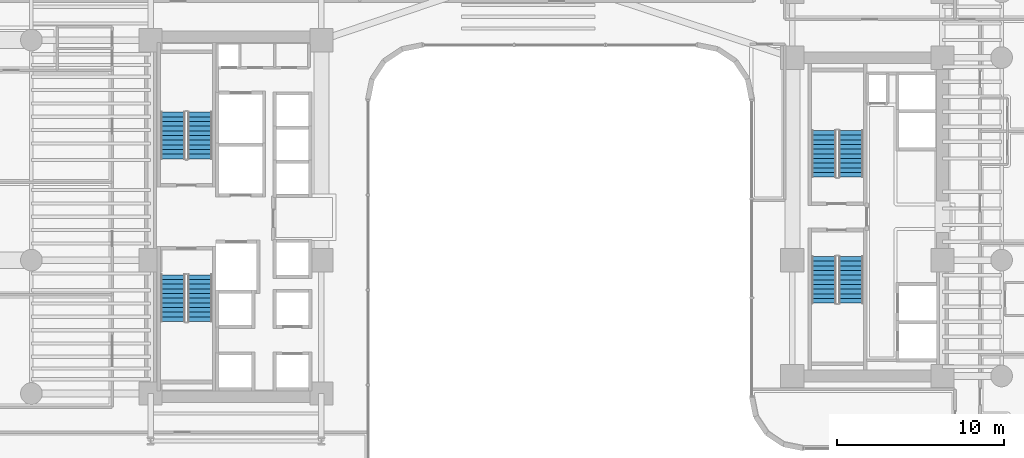
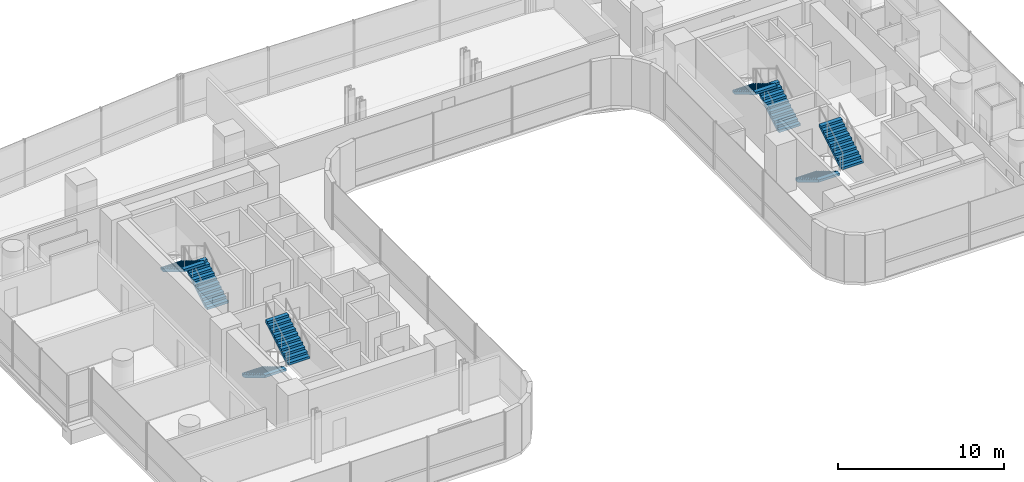
# One storey, part 34 of 39: 8 stair flights, 4 elements without a shape of their own.
"""IFC4 building model written with IfcOpenShell, lengths in metres."""

from ifc_helpers import new_model, si_unit, direction, frame, origin, place, context, subcontext, project, spatial, polyline, outline, extrude, material, type_object, element, aggregate, save


model = new_model("IFC4")

# Units and contexts
model_context = context("Model", 3, precision=1e-05, world=origin(), true_north=direction((0.0, 1.0)))
body_context = subcontext(model_context, "Body", "Model", "MODEL_VIEW")
ifc_project = project(units=[si_unit("LENGTHUNIT", "METRE"), si_unit("AREAUNIT", "SQUARE_METRE"), si_unit("VOLUMEUNIT", "CUBIC_METRE"), si_unit("PLANEANGLEUNIT", "RADIAN"), si_unit("MASSUNIT", "GRAM", prefix="KILO")], contexts=[model_context])

# Site, building, storey
site_placement = place(None, origin())
site = spatial("IfcSite", under=ifc_project, at=site_placement, CompositionType="ELEMENT")
building_placement = place(site_placement, origin())
building = spatial("IfcBuilding", under=site, at=building_placement, Name="Valdorenza Pilgrim Sanctuary Tower", CompositionType="ELEMENT")
storey_placement = place(building_placement, frame((0.0, 0.0, 70.39990234375)))
storey = spatial("IfcBuildingStorey", under=building, at=storey_placement, Name="L17", CompositionType="ELEMENT", Elevation=70.39990234375)

# Stair, stair flights
ifc_material = material(Name="Concrete C40/50", Category="concrete")
stair_type = type_object("IfcStairType", Name="STR-DOG-CORE", PredefinedType="HALF_TURN_STAIR", material=ifc_material)
stair_1_placement = place(storey_placement, origin())
stair_1 = element("IfcStair", 1, at=stair_1_placement, inside=storey, type_object=stair_type, Name="L17 ST-A1", PredefinedType="HALF_TURN_STAIR")
stair_flight_type = type_object("IfcStairFlightType", Name="STF-RC-1400", PredefinedType="STRAIGHT", material=ifc_material)
stair_flight_1_placement = place(storey_placement, frame((-19.679931640625, 3.47998046875, 0.0), z_axis=(0.0, 0.0, 1.0), x_axis=(0.0, 1.0, 0.0)))
stair_flight_1 = element("IfcStairFlight", 2, at=stair_flight_1_placement, type_object=stair_flight_type, Name="ST-A1 flight 1", NumberOfRisers=11, NumberOfTreads=10, PredefinedType="STRAIGHT", RiserHeight=0.168181818, TreadLength=0.28, context=body_context, shape_type="SweptSolid", body=[
    extrude(outline(polyline([(0.0, 0.0), (0.0, 0.168212890625), (0.280029296875, 0.168212890625), (0.280029296875, 0.33642578125), (0.56005859375, 0.33642578125), (0.56005859375, 0.504638671875), (0.840087890625, 0.504638671875), (0.840087890625, 0.672607421875), (1.1201171875, 0.672607421875), (1.1201171875, 0.8408203125), (1.39990234375, 0.8408203125), (1.39990234375, 1.009033203125), (1.679931640625, 1.009033203125), (1.679931640625, 1.17724609375), (1.9599609375, 1.17724609375), (1.9599609375, 1.345458984375), (2.239990234375, 1.345458984375), (2.239990234375, 1.513671875), (2.52001953125, 1.513671875), (2.52001953125, 1.681884765625), (2.800048828125, 1.681884765625), (2.800048828125, 1.85009765625), (2.800048828125, 1.5068359375), (0.291015625, 0.0), (0.0, 0.0)])), frame((0.0, 0.739990234375, 0.0), z_axis=(0.0, -1.0, 0.0), x_axis=(1.0, 0.0, 0.0)), (0.0, 0.0, 1.0), 1.47998046875),
])
stair_flight_2_placement = place(storey_placement, frame((-21.31005859375, 6.280029296875, 1.85009765625), z_axis=(0.0, 0.0, 1.0), x_axis=(0.0, -1.0, 0.0)))
stair_flight_2 = element("IfcStairFlight", 3, at=stair_flight_2_placement, type_object=stair_flight_type, Name="ST-A1 flight 2", NumberOfRisers=11, NumberOfTreads=10, PredefinedType="STRAIGHT", RiserHeight=0.168181818, TreadLength=0.28, context=body_context, shape_type="SweptSolid", body=[
    extrude(outline(polyline([(0.0, 0.0), (0.0, 0.168212890625), (0.280029296875, 0.168212890625), (0.280029296875, 0.33642578125), (0.56005859375, 0.33642578125), (0.56005859375, 0.504638671875), (0.840087890625, 0.504638671875), (0.840087890625, 0.672607421875), (1.1201171875, 0.672607421875), (1.1201171875, 0.8408203125), (1.39990234375, 0.8408203125), (1.39990234375, 1.009033203125), (1.679931640625, 1.009033203125), (1.679931640625, 1.17724609375), (1.9599609375, 1.17724609375), (1.9599609375, 1.345458984375), (2.239990234375, 1.345458984375), (2.239990234375, 1.513671875), (2.52001953125, 1.513671875), (2.52001953125, 1.681884765625), (2.800048828125, 1.681884765625), (2.800048828125, 1.85009765625), (2.800048828125, 1.5068359375), (0.291015625, 0.0), (0.0, 0.0)])), frame((0.0, 0.739990234375, 0.0), z_axis=(0.0, -1.0, 0.0), x_axis=(1.0, 0.0, 0.0)), (0.0, 0.0, 1.0), 1.47998046875),
])
aggregate(stair_1, [stair_flight_1, stair_flight_2])

stair_2_placement = place(storey_placement, origin())
stair_2 = element("IfcStair", 4, at=stair_2_placement, inside=storey, type_object=stair_type, Name="L17 ST-A2", PredefinedType="HALF_TURN_STAIR")
stair_flight_3_placement = place(storey_placement, frame((-21.31005859375, -3.47998046875, 0.0), z_axis=(0.0, 0.0, 1.0), x_axis=(0.0, -1.0, 0.0)))
stair_flight_3 = element("IfcStairFlight", 5, at=stair_flight_3_placement, type_object=stair_flight_type, Name="ST-A2 flight 1", NumberOfRisers=11, NumberOfTreads=10, PredefinedType="STRAIGHT", RiserHeight=0.168181818, TreadLength=0.28, context=body_context, shape_type="SweptSolid", body=[
    extrude(outline(polyline([(0.0, 0.0), (0.0, 0.168212890625), (0.280029296875, 0.168212890625), (0.280029296875, 0.33642578125), (0.56005859375, 0.33642578125), (0.56005859375, 0.504638671875), (0.840087890625, 0.504638671875), (0.840087890625, 0.672607421875), (1.1201171875, 0.672607421875), (1.1201171875, 0.8408203125), (1.39990234375, 0.8408203125), (1.39990234375, 1.009033203125), (1.679931640625, 1.009033203125), (1.679931640625, 1.17724609375), (1.9599609375, 1.17724609375), (1.9599609375, 1.345458984375), (2.239990234375, 1.345458984375), (2.239990234375, 1.513671875), (2.52001953125, 1.513671875), (2.52001953125, 1.681884765625), (2.800048828125, 1.681884765625), (2.800048828125, 1.85009765625), (2.800048828125, 1.5068359375), (0.291015625, 0.0), (0.0, 0.0)])), frame((0.0, 0.739990234375, 0.0), z_axis=(0.0, -1.0, 0.0), x_axis=(1.0, 0.0, 0.0)), (0.0, 0.0, 1.0), 1.47998046875),
])
stair_flight_4_placement = place(storey_placement, frame((-19.679931640625, -6.280029296875, 1.85009765625), z_axis=(0.0, 0.0, 1.0), x_axis=(0.0, 1.0, 0.0)))
stair_flight_4 = element("IfcStairFlight", 6, at=stair_flight_4_placement, type_object=stair_flight_type, Name="ST-A2 flight 2", NumberOfRisers=11, NumberOfTreads=10, PredefinedType="STRAIGHT", RiserHeight=0.168181818, TreadLength=0.28, context=body_context, shape_type="SweptSolid", body=[
    extrude(outline(polyline([(0.0, 0.0), (0.0, 0.168212890625), (0.280029296875, 0.168212890625), (0.280029296875, 0.33642578125), (0.56005859375, 0.33642578125), (0.56005859375, 0.504638671875), (0.840087890625, 0.504638671875), (0.840087890625, 0.672607421875), (1.1201171875, 0.672607421875), (1.1201171875, 0.8408203125), (1.39990234375, 0.8408203125), (1.39990234375, 1.009033203125), (1.679931640625, 1.009033203125), (1.679931640625, 1.17724609375), (1.9599609375, 1.17724609375), (1.9599609375, 1.345458984375), (2.239990234375, 1.345458984375), (2.239990234375, 1.513671875), (2.52001953125, 1.513671875), (2.52001953125, 1.681884765625), (2.800048828125, 1.681884765625), (2.800048828125, 1.85009765625), (2.800048828125, 1.5068359375), (0.291015625, 0.0), (0.0, 0.0)])), frame((0.0, 0.739990234375, 0.0), z_axis=(0.0, -1.0, 0.0), x_axis=(1.0, 0.0, 0.0)), (0.0, 0.0, 1.0), 1.47998046875),
])
aggregate(stair_2, [stair_flight_3, stair_flight_4])

stair_3_placement = place(storey_placement, origin())
stair_3 = element("IfcStair", 7, at=stair_3_placement, inside=storey, type_object=stair_type, Name="L17 ST-B1", PredefinedType="HALF_TURN_STAIR")
stair_flight_5_placement = place(storey_placement, frame((19.3701171875, 2.3798828125, 0.0), z_axis=(0.0, 0.0, 1.0), x_axis=(0.0, 1.0, 0.0)))
stair_flight_5 = element("IfcStairFlight", 8, at=stair_flight_5_placement, type_object=stair_flight_type, Name="ST-B1 flight 1", NumberOfRisers=11, NumberOfTreads=10, PredefinedType="STRAIGHT", RiserHeight=0.168181818, TreadLength=0.28, context=body_context, shape_type="SweptSolid", body=[
    extrude(outline(polyline([(0.0, 0.0), (0.0, 0.168212890625), (0.280029296875, 0.168212890625), (0.280029296875, 0.33642578125), (0.56005859375, 0.33642578125), (0.56005859375, 0.504638671875), (0.840087890625, 0.504638671875), (0.840087890625, 0.672607421875), (1.1201171875, 0.672607421875), (1.1201171875, 0.8408203125), (1.39990234375, 0.8408203125), (1.39990234375, 1.009033203125), (1.679931640625, 1.009033203125), (1.679931640625, 1.17724609375), (1.9599609375, 1.17724609375), (1.9599609375, 1.345458984375), (2.239990234375, 1.345458984375), (2.239990234375, 1.513671875), (2.52001953125, 1.513671875), (2.52001953125, 1.681884765625), (2.800048828125, 1.681884765625), (2.800048828125, 1.85009765625), (2.800048828125, 1.5068359375), (0.291015625, 0.0), (0.0, 0.0)])), frame((0.0, 0.739990234375, 0.0), z_axis=(0.0, -1.0, 0.0), x_axis=(1.0, 0.0, 0.0)), (0.0, 0.0, 1.0), 1.47998046875),
])
stair_flight_6_placement = place(storey_placement, frame((17.739990234375, 5.179931640625, 1.85009765625), z_axis=(0.0, 0.0, 1.0), x_axis=(0.0, -1.0, 0.0)))
stair_flight_6 = element("IfcStairFlight", 9, at=stair_flight_6_placement, type_object=stair_flight_type, Name="ST-B1 flight 2", NumberOfRisers=11, NumberOfTreads=10, PredefinedType="STRAIGHT", RiserHeight=0.168181818, TreadLength=0.28, context=body_context, shape_type="SweptSolid", body=[
    extrude(outline(polyline([(0.0, 0.0), (0.0, 0.168212890625), (0.280029296875, 0.168212890625), (0.280029296875, 0.33642578125), (0.56005859375, 0.33642578125), (0.56005859375, 0.504638671875), (0.840087890625, 0.504638671875), (0.840087890625, 0.672607421875), (1.1201171875, 0.672607421875), (1.1201171875, 0.8408203125), (1.39990234375, 0.8408203125), (1.39990234375, 1.009033203125), (1.679931640625, 1.009033203125), (1.679931640625, 1.17724609375), (1.9599609375, 1.17724609375), (1.9599609375, 1.345458984375), (2.239990234375, 1.345458984375), (2.239990234375, 1.513671875), (2.52001953125, 1.513671875), (2.52001953125, 1.681884765625), (2.800048828125, 1.681884765625), (2.800048828125, 1.85009765625), (2.800048828125, 1.5068359375), (0.291015625, 0.0), (0.0, 0.0)])), frame((0.0, 0.739990234375, 0.0), z_axis=(0.0, -1.0, 0.0), x_axis=(1.0, 0.0, 0.0)), (0.0, 0.0, 1.0), 1.47998046875),
])
aggregate(stair_3, [stair_flight_5, stair_flight_6])

stair_4_placement = place(storey_placement, origin())
stair_4 = element("IfcStair", 10, at=stair_4_placement, inside=storey, type_object=stair_type, Name="L17 ST-B2", PredefinedType="HALF_TURN_STAIR")
stair_flight_7_placement = place(storey_placement, frame((17.739990234375, -2.3798828125, 0.0), z_axis=(0.0, 0.0, 1.0), x_axis=(0.0, -1.0, 0.0)))
stair_flight_7 = element("IfcStairFlight", 11, at=stair_flight_7_placement, type_object=stair_flight_type, Name="ST-B2 flight 1", NumberOfRisers=11, NumberOfTreads=10, PredefinedType="STRAIGHT", RiserHeight=0.168181818, TreadLength=0.28, context=body_context, shape_type="SweptSolid", body=[
    extrude(outline(polyline([(0.0, 0.0), (0.0, 0.168212890625), (0.280029296875, 0.168212890625), (0.280029296875, 0.33642578125), (0.56005859375, 0.33642578125), (0.56005859375, 0.504638671875), (0.840087890625, 0.504638671875), (0.840087890625, 0.672607421875), (1.1201171875, 0.672607421875), (1.1201171875, 0.8408203125), (1.39990234375, 0.8408203125), (1.39990234375, 1.009033203125), (1.679931640625, 1.009033203125), (1.679931640625, 1.17724609375), (1.9599609375, 1.17724609375), (1.9599609375, 1.345458984375), (2.239990234375, 1.345458984375), (2.239990234375, 1.513671875), (2.52001953125, 1.513671875), (2.52001953125, 1.681884765625), (2.800048828125, 1.681884765625), (2.800048828125, 1.85009765625), (2.800048828125, 1.5068359375), (0.291015625, 0.0), (0.0, 0.0)])), frame((0.0, 0.739990234375, 0.0), z_axis=(0.0, -1.0, 0.0), x_axis=(1.0, 0.0, 0.0)), (0.0, 0.0, 1.0), 1.47998046875),
])
stair_flight_8_placement = place(storey_placement, frame((19.3701171875, -5.179931640625, 1.85009765625), z_axis=(0.0, 0.0, 1.0), x_axis=(0.0, 1.0, 0.0)))
stair_flight_8 = element("IfcStairFlight", 12, at=stair_flight_8_placement, type_object=stair_flight_type, Name="ST-B2 flight 2", NumberOfRisers=11, NumberOfTreads=10, PredefinedType="STRAIGHT", RiserHeight=0.168181818, TreadLength=0.28, context=body_context, shape_type="SweptSolid", body=[
    extrude(outline(polyline([(0.0, 0.0), (0.0, 0.168212890625), (0.280029296875, 0.168212890625), (0.280029296875, 0.33642578125), (0.56005859375, 0.33642578125), (0.56005859375, 0.504638671875), (0.840087890625, 0.504638671875), (0.840087890625, 0.672607421875), (1.1201171875, 0.672607421875), (1.1201171875, 0.8408203125), (1.39990234375, 0.8408203125), (1.39990234375, 1.009033203125), (1.679931640625, 1.009033203125), (1.679931640625, 1.17724609375), (1.9599609375, 1.17724609375), (1.9599609375, 1.345458984375), (2.239990234375, 1.345458984375), (2.239990234375, 1.513671875), (2.52001953125, 1.513671875), (2.52001953125, 1.681884765625), (2.800048828125, 1.681884765625), (2.800048828125, 1.85009765625), (2.800048828125, 1.5068359375), (0.291015625, 0.0), (0.0, 0.0)])), frame((0.0, 0.739990234375, 0.0), z_axis=(0.0, -1.0, 0.0), x_axis=(1.0, 0.0, 0.0)), (0.0, 0.0, 1.0), 1.47998046875),
])
aggregate(stair_4, [stair_flight_7, stair_flight_8])

save(model, "model.ifc")
